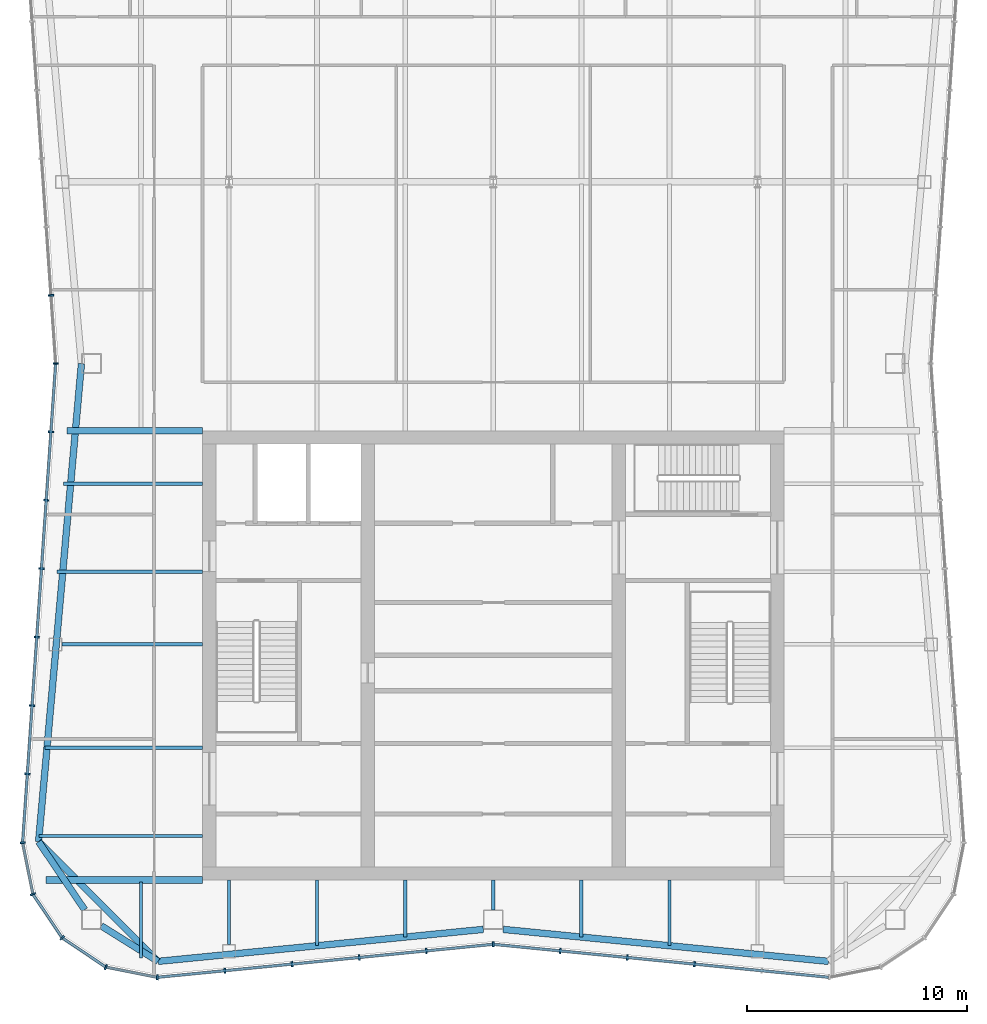
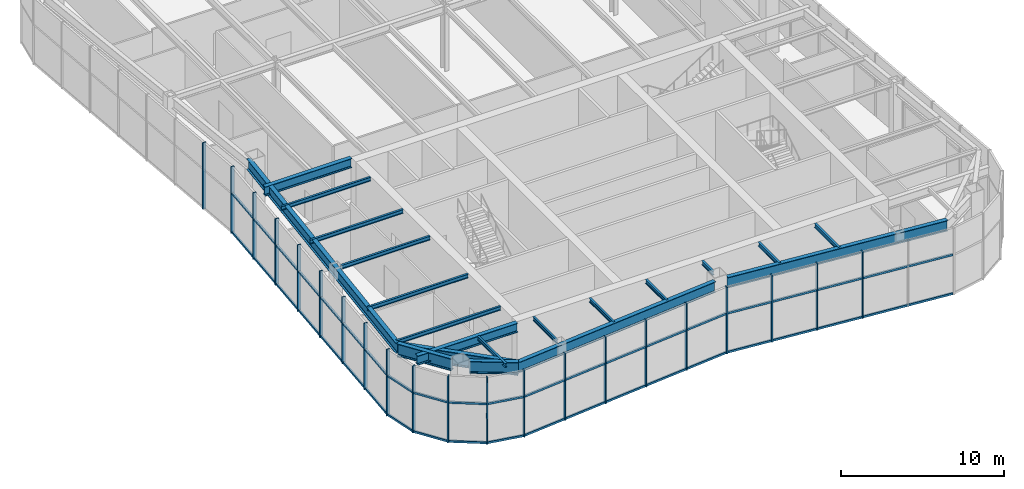
# One storey, part 3 of 13: 35 members, 20 beams, 3 elements without a shape of their own.
"""IFC4 building model written with IfcOpenShell, lengths in metres."""

from ifc_helpers import new_model, si_unit, direction, frame, origin, origin_2d, place, context, subcontext, project, spatial, rectangle, i_section, extrude, material, material_profile, profile_set, type_object, element, aggregate, save


model = new_model("IFC4")

# Units and contexts
model_context = context("Model", 3, precision=1e-05, world=origin(), true_north=direction((0.0, 1.0)))
body_context = subcontext(model_context, "Body", "Model", "MODEL_VIEW")
ifc_project = project(units=[si_unit("LENGTHUNIT", "METRE"), si_unit("AREAUNIT", "SQUARE_METRE"), si_unit("VOLUMEUNIT", "CUBIC_METRE"), si_unit("PLANEANGLEUNIT", "RADIAN"), si_unit("MASSUNIT", "GRAM", prefix="KILO")], contexts=[model_context])

# Site, building, storey
site_placement = place(None, origin())
site = spatial("IfcSite", under=ifc_project, at=site_placement, CompositionType="ELEMENT")
building_placement = place(site_placement, origin())
building = spatial("IfcBuilding", under=site, at=building_placement, Name="Verdant Reach Tower", CompositionType="ELEMENT")
storey_placement = place(building_placement, frame((0.0, 0.0, 349.5)))
storey = spatial("IfcBuildingStorey", under=building, at=storey_placement, Name="L79 Plant", CompositionType="ELEMENT", Elevation=349.5)

# Curtain wall, members
ifc_material_1 = material(Name="Anodised aluminium", Category="aluminium")
curtain_wall_type = type_object("IfcCurtainWallType", Name="EN-CW SYSTEM PLANT", PredefinedType="NOTDEFINED", material=ifc_material_1)
curtain_wall_1_placement = place(storey_placement, origin())
curtain_wall_1 = element("IfcCurtainWall", 1, at=curtain_wall_1_placement, inside=storey, type_object=curtain_wall_type, Name="Curtain wall west, L79", PredefinedType="NOTDEFINED")
ifc_material_profile_1 = material_profile(ifc_material_1, rectangle(XDim=0.238037109375, YDim=0.080078125, at=origin_2d()), Name="Mullion 80x240")
ifc_profile_set_1 = profile_set([ifc_material_profile_1], Name="Anodised aluminium")
member_type_1 = type_object("IfcMemberType", Name="EN-MULLION PLANT", PredefinedType="MULLION", material=ifc_profile_set_1)
member_1_placement = place(storey_placement, frame((-20.0830078125, 44.348876953125, -0.35009765625), z_axis=(0.0, 0.0, 1.0), x_axis=(-0.997630328423, -0.068802091615, 0.0)))
member_1 = element("IfcMember", 2, at=member_1_placement, type_object=member_type_1, Name="Mullion west face part 1 7, L79", PredefinedType="MULLION", context=body_context, shape_type="SweptSolid", body=[
    extrude(rectangle(XDim=0.238037109375, YDim=0.080078125, at=origin_2d()), origin(), (0.0, 0.0, 1.0), 5.0),
])
member_2_placement = place(storey_placement, frame((-19.868896484375, 41.25, -0.35009765625), z_axis=(0.0, 0.0, 1.0), x_axis=(-1.0, 0.0, 0.0)))
member_2 = element("IfcMember", 3, at=member_2_placement, type_object=member_type_1, Name="Mullion west face part 2 1, L79", PredefinedType="MULLION", context=body_context, shape_type="SweptSolid", body=[
    extrude(rectangle(XDim=0.238037109375, YDim=0.080078125, at=origin_2d()), origin(), (0.0, 0.0, 1.0), 5.0),
])
member_3_placement = place(storey_placement, frame((-20.0830078125, 38.151123046875, -0.35009765625), z_axis=(0.0, 0.0, 1.0), x_axis=(-0.997630328423, 0.068802091615, 0.0)))
member_3 = element("IfcMember", 4, at=member_3_placement, type_object=member_type_1, Name="Mullion west face part 2 2, L79", PredefinedType="MULLION", context=body_context, shape_type="SweptSolid", body=[
    extrude(rectangle(XDim=0.238037109375, YDim=0.080078125, at=origin_2d()), origin(), (0.0, 0.0, 1.0), 5.0),
])
member_4_placement = place(storey_placement, frame((-20.29736328125, 35.0439453125, -0.35009765625), z_axis=(0.0, 0.0, 1.0), x_axis=(-0.997630328423, 0.068802091615, 0.0)))
member_4 = element("IfcMember", 5, at=member_4_placement, type_object=member_type_1, Name="Mullion west face part 2 3, L79", PredefinedType="MULLION", context=body_context, shape_type="SweptSolid", body=[
    extrude(rectangle(XDim=0.238037109375, YDim=0.080078125, at=origin_2d()), origin(), (0.0, 0.0, 1.0), 5.0),
])
member_5_placement = place(storey_placement, frame((-20.511474609375, 31.936767578125, -0.35009765625), z_axis=(0.0, 0.0, 1.0), x_axis=(-0.997630328423, 0.068802091615, 0.0)))
member_5 = element("IfcMember", 6, at=member_5_placement, type_object=member_type_1, Name="Mullion west face part 2 4, L79", PredefinedType="MULLION", context=body_context, shape_type="SweptSolid", body=[
    extrude(rectangle(XDim=0.238037109375, YDim=0.080078125, at=origin_2d()), origin(), (0.0, 0.0, 1.0), 5.0),
])
member_6_placement = place(storey_placement, frame((-20.725830078125, 28.82958984375, -0.35009765625), z_axis=(0.0, 0.0, 1.0), x_axis=(-0.997630328423, 0.068802091615, 0.0)))
member_6 = element("IfcMember", 7, at=member_6_placement, type_object=member_type_1, Name="Mullion west face part 2 5, L79", PredefinedType="MULLION", context=body_context, shape_type="SweptSolid", body=[
    extrude(rectangle(XDim=0.238037109375, YDim=0.080078125, at=origin_2d()), origin(), (0.0, 0.0, 1.0), 5.0),
])
member_7_placement = place(storey_placement, frame((-20.940185546875, 25.722412109375, -0.35009765625), z_axis=(0.0, 0.0, 1.0), x_axis=(-0.997630328423, 0.068802091615, 0.0)))
member_7 = element("IfcMember", 8, at=member_7_placement, type_object=member_type_1, Name="Mullion west face part 2 6, L79", PredefinedType="MULLION", context=body_context, shape_type="SweptSolid", body=[
    extrude(rectangle(XDim=0.238037109375, YDim=0.080078125, at=origin_2d()), origin(), (0.0, 0.0, 1.0), 5.0),
])
member_8_placement = place(storey_placement, frame((-21.154541015625, 22.615234375, -0.35009765625), z_axis=(0.0, 0.0, 1.0), x_axis=(-0.997630328423, 0.068802091615, 0.0)))
member_8 = element("IfcMember", 9, at=member_8_placement, type_object=member_type_1, Name="Mullion west face part 2 7, L79", PredefinedType="MULLION", context=body_context, shape_type="SweptSolid", body=[
    extrude(rectangle(XDim=0.238037109375, YDim=0.080078125, at=origin_2d()), origin(), (0.0, 0.0, 1.0), 5.0),
])

curtain_wall_2_placement = place(storey_placement, origin())
curtain_wall_2 = element("IfcCurtainWall", 10, at=curtain_wall_2_placement, inside=storey, type_object=curtain_wall_type, Name="Curtain wall south-west corner, L79", PredefinedType="NOTDEFINED")
member_9_placement = place(storey_placement, frame((-21.36865234375, 19.492431640625, -0.35009765625), z_axis=(0.0, 0.0, 1.0), x_axis=(-0.997969180898, -0.063698618332, 0.0)))
member_9 = element("IfcMember", 11, at=member_9_placement, type_object=member_type_1, Name="Mullion south-west corner 1, L79", PredefinedType="MULLION", context=body_context, shape_type="SweptSolid", body=[
    extrude(rectangle(XDim=0.238037109375, YDim=0.080078125, at=origin_2d()), origin(), (0.0, 0.0, 1.0), 5.0),
])
member_10_placement = place(storey_placement, frame((-20.9033203125, 17.158447265625, -0.35009765625), z_axis=(0.0, 0.0, 1.0), x_axis=(-0.923875215753, -0.382693853776, 0.0)))
member_10 = element("IfcMember", 12, at=member_10_placement, type_object=member_type_1, Name="Mullion south-west corner 2, L79", PredefinedType="MULLION", context=body_context, shape_type="SweptSolid", body=[
    extrude(rectangle(XDim=0.238037109375, YDim=0.080078125, at=origin_2d()), origin(), (0.0, 0.0, 1.0), 5.0),
])
member_11_placement = place(storey_placement, frame((-19.57666015625, 15.17333984375, -0.35009765625), z_axis=(0.0, 0.0, 1.0), x_axis=(-0.707106781187, -0.707106781187, 0.0)))
member_11 = element("IfcMember", 13, at=member_11_placement, type_object=member_type_1, Name="Mullion south-west corner 3, L79", PredefinedType="MULLION", context=body_context, shape_type="SweptSolid", body=[
    extrude(rectangle(XDim=0.238037109375, YDim=0.080078125, at=origin_2d()), origin(), (0.0, 0.0, 1.0), 5.0),
])
member_12_placement = place(storey_placement, frame((-17.591552734375, 13.8466796875, -0.35009765625), z_axis=(0.0, 0.0, 1.0), x_axis=(-0.382693853776, -0.923875215753, 0.0)))
member_12 = element("IfcMember", 14, at=member_12_placement, type_object=member_type_1, Name="Mullion south-west corner 4, L79", PredefinedType="MULLION", context=body_context, shape_type="SweptSolid", body=[
    extrude(rectangle(XDim=0.238037109375, YDim=0.080078125, at=origin_2d()), origin(), (0.0, 0.0, 1.0), 5.0),
])

curtain_wall_3_placement = place(storey_placement, origin())
curtain_wall_3 = element("IfcCurtainWall", 15, at=curtain_wall_3_placement, inside=storey, type_object=curtain_wall_type, Name="Curtain wall south, L79", PredefinedType="NOTDEFINED")
member_13_placement = place(storey_placement, frame((-15.255859375, 13.381103515625, -0.35009765625), z_axis=(0.0, 0.0, 1.0), x_axis=(-0.049127596288, -0.998792510626, 0.0)))
member_13 = element("IfcMember", 16, at=member_13_placement, type_object=member_type_1, Name="Mullion south face part 1 1, L79", PredefinedType="MULLION", context=body_context, shape_type="SweptSolid", body=[
    extrude(rectangle(XDim=0.238037109375, YDim=0.080078125, at=origin_2d()), origin(), (0.0, 0.0, 1.0), 5.0),
])
member_14_placement = place(storey_placement, frame((-12.188232421875, 13.681640625, -0.35009765625), z_axis=(0.0, 0.0, 1.0), x_axis=(0.09788826992, -0.995197410875, 0.0)))
member_14 = element("IfcMember", 17, at=member_14_placement, type_object=member_type_1, Name="Mullion south face part 1 2, L79", PredefinedType="MULLION", context=body_context, shape_type="SweptSolid", body=[
    extrude(rectangle(XDim=0.238037109375, YDim=0.080078125, at=origin_2d()), origin(), (0.0, 0.0, 1.0), 5.0),
])
member_15_placement = place(storey_placement, frame((-9.138427734375, 13.981689453125, -0.35009765625), z_axis=(0.0, 0.0, 1.0), x_axis=(0.09788826992, -0.995197410875, 0.0)))
member_15 = element("IfcMember", 18, at=member_15_placement, type_object=member_type_1, Name="Mullion south face part 1 3, L79", PredefinedType="MULLION", context=body_context, shape_type="SweptSolid", body=[
    extrude(rectangle(XDim=0.238037109375, YDim=0.080078125, at=origin_2d()), origin(), (0.0, 0.0, 1.0), 5.0),
])
member_16_placement = place(storey_placement, frame((-6.08837890625, 14.281494140625, -0.35009765625), z_axis=(0.0, 0.0, 1.0), x_axis=(0.09788826992, -0.995197410875, 0.0)))
member_16 = element("IfcMember", 19, at=member_16_placement, type_object=member_type_1, Name="Mullion south face part 1 4, L79", PredefinedType="MULLION", context=body_context, shape_type="SweptSolid", body=[
    extrude(rectangle(XDim=0.238037109375, YDim=0.080078125, at=origin_2d()), origin(), (0.0, 0.0, 1.0), 5.0),
])
member_17_placement = place(storey_placement, frame((-3.038330078125, 14.58154296875, -0.35009765625), z_axis=(0.0, 0.0, 1.0), x_axis=(0.09788826992, -0.995197410875, 0.0)))
member_17 = element("IfcMember", 20, at=member_17_placement, type_object=member_type_1, Name="Mullion south face part 1 5, L79", PredefinedType="MULLION", context=body_context, shape_type="SweptSolid", body=[
    extrude(rectangle(XDim=0.238037109375, YDim=0.080078125, at=origin_2d()), origin(), (0.0, 0.0, 1.0), 5.0),
])
member_18_placement = place(storey_placement, frame((0.0, 14.881103515625, -0.35009765625), z_axis=(0.0, 0.0, 1.0), x_axis=(0.0, -1.0, 0.0)))
member_18 = element("IfcMember", 21, at=member_18_placement, type_object=member_type_1, Name="Mullion south face part 2 1, L79", PredefinedType="MULLION", context=body_context, shape_type="SweptSolid", body=[
    extrude(rectangle(XDim=0.238037109375, YDim=0.080078125, at=origin_2d()), origin(), (0.0, 0.0, 1.0), 5.0),
])
member_19_placement = place(storey_placement, frame((3.038330078125, 14.58154296875, -0.35009765625), z_axis=(0.0, 0.0, 1.0), x_axis=(-0.09788826992, -0.995197410875, 0.0)))
member_19 = element("IfcMember", 22, at=member_19_placement, type_object=member_type_1, Name="Mullion south face part 2 2, L79", PredefinedType="MULLION", context=body_context, shape_type="SweptSolid", body=[
    extrude(rectangle(XDim=0.238037109375, YDim=0.080078125, at=origin_2d()), origin(), (0.0, 0.0, 1.0), 5.0),
])
member_20_placement = place(storey_placement, frame((6.08837890625, 14.281494140625, -0.35009765625), z_axis=(0.0, 0.0, 1.0), x_axis=(-0.09788826992, -0.995197410875, 0.0)))
member_20 = element("IfcMember", 23, at=member_20_placement, type_object=member_type_1, Name="Mullion south face part 2 3, L79", PredefinedType="MULLION", context=body_context, shape_type="SweptSolid", body=[
    extrude(rectangle(XDim=0.238037109375, YDim=0.080078125, at=origin_2d()), origin(), (0.0, 0.0, 1.0), 5.0),
])
member_21_placement = place(storey_placement, frame((9.138427734375, 13.981689453125, -0.35009765625), z_axis=(0.0, 0.0, 1.0), x_axis=(-0.09788826992, -0.995197410875, 0.0)))
member_21 = element("IfcMember", 24, at=member_21_placement, type_object=member_type_1, Name="Mullion south face part 2 4, L79", PredefinedType="MULLION", context=body_context, shape_type="SweptSolid", body=[
    extrude(rectangle(XDim=0.238037109375, YDim=0.080078125, at=origin_2d()), origin(), (0.0, 0.0, 1.0), 5.0),
])

# Member
ifc_material_profile_2 = material_profile(ifc_material_1, rectangle(XDim=0.1201171875, YDim=0.14990234375, at=origin_2d()), Name="Transom 150x120")
ifc_profile_set_2 = profile_set([ifc_material_profile_2], Name="Anodised aluminium")
member_type_2 = type_object("IfcMemberType", Name="EN-TRANSOM PLANT", PredefinedType="USERDEFINED", material=ifc_profile_set_2)
member_22_placement = place(storey_placement, frame((-19.871826171875, 41.210205078125, -0.27490234375), z_axis=(-0.068761218296, -0.997633146431, 0.0), x_axis=(0.997633146431, -0.068761218296, 0.0)))
member_22 = element("IfcMember", 25, at=member_22_placement, type_object=member_type_2, Name="Transom west face part 2 1.1, L79", ObjectType="TRANSOM", PredefinedType="USERDEFINED", context=body_context, shape_type="SweptSolid", body=[
    extrude(rectangle(XDim=0.1201171875, YDim=0.14990234375, at=origin_2d()), origin(), (0.0, 0.0, 1.0), 21.7294921875),
])

member_23_placement = place(storey_placement, frame((-19.871826171875, 41.210205078125, 2.64990234375), z_axis=(-0.068761218296, -0.997633146431, 0.0), x_axis=(0.997633146431, -0.068761218296, 0.0)))
member_23 = element("IfcMember", 26, at=member_23_placement, type_object=member_type_2, Name="Transom west face part 2 1.2, L79", ObjectType="TRANSOM", PredefinedType="USERDEFINED", context=body_context, shape_type="SweptSolid", body=[
    extrude(rectangle(XDim=0.1201171875, YDim=0.14990234375, at=origin_2d()), origin(), (0.0, 0.0, 1.0), 21.7294921875),
])

aggregate(curtain_wall_1, [member_1, member_2, member_3, member_4, member_5, member_6, member_7, member_8, member_22, member_23])

member_24_placement = place(storey_placement, frame((-21.36083984375, 19.453125, -0.27490234375), z_axis=(0.195524121666, -0.980698892549, 0.0), x_axis=(0.980698892549, 0.195524121666, 0.0)))
member_24 = element("IfcMember", 27, at=member_24_placement, type_object=member_type_2, Name="Transom south-west corner 1.1, L79", ObjectType="TRANSOM", PredefinedType="USERDEFINED", context=body_context, shape_type="SweptSolid", body=[
    extrude(rectangle(XDim=0.1201171875, YDim=0.14990234375, at=origin_2d()), origin(), (0.0, 0.0, 1.0), 2.300048828125),
])

member_25_placement = place(storey_placement, frame((-20.881103515625, 17.125, -0.27490234375), z_axis=(0.5556764556, -0.831398626828, 0.0), x_axis=(0.831398626828, 0.5556764556, 0.0)))
member_25 = element("IfcMember", 28, at=member_25_placement, type_object=member_type_2, Name="Transom south-west corner 2.1, L79", ObjectType="TRANSOM", PredefinedType="USERDEFINED", context=body_context, shape_type="SweptSolid", body=[
    extrude(rectangle(XDim=0.1201171875, YDim=0.14990234375, at=origin_2d()), origin(), (0.0, 0.0, 1.0), 2.3076171875),
])

member_26_placement = place(storey_placement, frame((-19.54345703125, 15.151123046875, -0.27490234375), z_axis=(0.831398626828, -0.5556764556, 0.0), x_axis=(0.5556764556, 0.831398626828, 0.0)))
member_26 = element("IfcMember", 29, at=member_26_placement, type_object=member_type_2, Name="Transom south-west corner 3.1, L79", ObjectType="TRANSOM", PredefinedType="USERDEFINED", context=body_context, shape_type="SweptSolid", body=[
    extrude(rectangle(XDim=0.1201171875, YDim=0.14990234375, at=origin_2d()), origin(), (0.0, 0.0, 1.0), 2.3076171875),
])

member_27_placement = place(storey_placement, frame((-17.552490234375, 13.8388671875, -0.27490234375), z_axis=(0.980706937788, -0.195483764476, 0.0), x_axis=(0.195483764476, 0.980706937788, 0.0)))
member_27 = element("IfcMember", 30, at=member_27_placement, type_object=member_type_2, Name="Transom south-west corner 4.1, L79", ObjectType="TRANSOM", PredefinedType="USERDEFINED", context=body_context, shape_type="SweptSolid", body=[
    extrude(rectangle(XDim=0.1201171875, YDim=0.14990234375, at=origin_2d()), origin(), (0.0, 0.0, 1.0), 2.3017578125),
])

member_28_placement = place(storey_placement, frame((-21.36083984375, 19.453125, 2.64990234375), z_axis=(0.195524121666, -0.980698892549, 0.0), x_axis=(0.980698892549, 0.195524121666, 0.0)))
member_28 = element("IfcMember", 31, at=member_28_placement, type_object=member_type_2, Name="Transom south-west corner 1.2, L79", ObjectType="TRANSOM", PredefinedType="USERDEFINED", context=body_context, shape_type="SweptSolid", body=[
    extrude(rectangle(XDim=0.1201171875, YDim=0.14990234375, at=origin_2d()), origin(), (0.0, 0.0, 1.0), 2.300048828125),
])

member_29_placement = place(storey_placement, frame((-20.881103515625, 17.125, 2.64990234375), z_axis=(0.5556764556, -0.831398626828, 0.0), x_axis=(0.831398626828, 0.5556764556, 0.0)))
member_29 = element("IfcMember", 32, at=member_29_placement, type_object=member_type_2, Name="Transom south-west corner 2.2, L79", ObjectType="TRANSOM", PredefinedType="USERDEFINED", context=body_context, shape_type="SweptSolid", body=[
    extrude(rectangle(XDim=0.1201171875, YDim=0.14990234375, at=origin_2d()), origin(), (0.0, 0.0, 1.0), 2.3076171875),
])

member_30_placement = place(storey_placement, frame((-19.54345703125, 15.151123046875, 2.64990234375), z_axis=(0.831398626828, -0.5556764556, 0.0), x_axis=(0.5556764556, 0.831398626828, 0.0)))
member_30 = element("IfcMember", 33, at=member_30_placement, type_object=member_type_2, Name="Transom south-west corner 3.2, L79", ObjectType="TRANSOM", PredefinedType="USERDEFINED", context=body_context, shape_type="SweptSolid", body=[
    extrude(rectangle(XDim=0.1201171875, YDim=0.14990234375, at=origin_2d()), origin(), (0.0, 0.0, 1.0), 2.3076171875),
])

member_31_placement = place(storey_placement, frame((-17.552490234375, 13.8388671875, 2.64990234375), z_axis=(0.980706937788, -0.195483764476, 0.0), x_axis=(0.195483764476, 0.980706937788, 0.0)))
member_31 = element("IfcMember", 34, at=member_31_placement, type_object=member_type_2, Name="Transom south-west corner 4.2, L79", ObjectType="TRANSOM", PredefinedType="USERDEFINED", context=body_context, shape_type="SweptSolid", body=[
    extrude(rectangle(XDim=0.1201171875, YDim=0.14990234375, at=origin_2d()), origin(), (0.0, 0.0, 1.0), 2.3017578125),
])

aggregate(curtain_wall_2, [member_9, member_10, member_11, member_12, member_24, member_25, member_26, member_27, member_28, member_29, member_30, member_31])

member_32_placement = place(storey_placement, frame((-15.216064453125, 13.385009765625, -0.27490234375), z_axis=(0.995200989722, 0.097851878144, 0.0), x_axis=(-0.097851878144, 0.995200989722, 0.0)))
member_32 = element("IfcMember", 35, at=member_32_placement, type_object=member_type_2, Name="Transom south face part 1 1.1, L79", ObjectType="TRANSOM", PredefinedType="USERDEFINED", context=body_context, shape_type="SweptSolid", body=[
    extrude(rectangle(XDim=0.1201171875, YDim=0.14990234375, at=origin_2d()), origin(), (0.0, 0.0, 1.0), 15.24951171875),
])

member_33_placement = place(storey_placement, frame((-15.216064453125, 13.385009765625, 2.64990234375), z_axis=(0.995200989722, 0.097851878144, 0.0), x_axis=(-0.097851878144, 0.995200989722, 0.0)))
member_33 = element("IfcMember", 36, at=member_33_placement, type_object=member_type_2, Name="Transom south face part 1 1.2, L79", ObjectType="TRANSOM", PredefinedType="USERDEFINED", context=body_context, shape_type="SweptSolid", body=[
    extrude(rectangle(XDim=0.1201171875, YDim=0.14990234375, at=origin_2d()), origin(), (0.0, 0.0, 1.0), 15.24951171875),
])

member_34_placement = place(storey_placement, frame((0.039794921875, 14.877197265625, -0.27490234375), z_axis=(0.995200989722, -0.097851878144, 0.0), x_axis=(0.097851878144, 0.995200989722, 0.0)))
member_34 = element("IfcMember", 37, at=member_34_placement, type_object=member_type_2, Name="Transom south face part 2 1.1, L79", ObjectType="TRANSOM", PredefinedType="USERDEFINED", context=body_context, shape_type="SweptSolid", body=[
    extrude(rectangle(XDim=0.1201171875, YDim=0.14990234375, at=origin_2d()), origin(), (0.0, 0.0, 1.0), 15.24951171875),
])

member_35_placement = place(storey_placement, frame((0.039794921875, 14.877197265625, 2.64990234375), z_axis=(0.995200989722, -0.097851878144, 0.0), x_axis=(0.097851878144, 0.995200989722, 0.0)))
member_35 = element("IfcMember", 38, at=member_35_placement, type_object=member_type_2, Name="Transom south face part 2 1.2, L79", ObjectType="TRANSOM", PredefinedType="USERDEFINED", context=body_context, shape_type="SweptSolid", body=[
    extrude(rectangle(XDim=0.1201171875, YDim=0.14990234375, at=origin_2d()), origin(), (0.0, 0.0, 1.0), 15.24951171875),
])

aggregate(curtain_wall_3, [member_13, member_14, member_15, member_16, member_17, member_32, member_33, member_18, member_19, member_20, member_21, member_34, member_35])

# Beams
ifc_material_2 = material(Name="Steel S355", Category="steel")
ifc_material_profile_3 = material_profile(ifc_material_2, i_section(OverallWidth=0.300048828125, OverallDepth=0.699951171875, WebThickness=0.01708984375, FlangeThickness=0.031982421875, FilletRadius=0.027099609375, at=origin_2d()), Name="HEB 700")
ifc_profile_set_3 = profile_set([ifc_material_profile_3], Name="Steel S355")
beam_type_1 = type_object("IfcBeamType", Name="ST-BEAM-HEB700", PredefinedType="BEAM", material=ifc_profile_set_3)
beam_1_placement = place(storey_placement, frame((-13.199951171875, 38.199951171875, 4.5), z_axis=(-1.0, 0.0, 0.0), x_axis=(0.0, -1.0, 0.0)))
element("IfcBeam", 39, at=beam_1_placement, inside=storey, type_object=beam_type_1, Name="Trimmer beam, L79 Plant", PredefinedType="BEAM", context=body_context, shape_type="SweptSolid", body=[
    extrude(i_section(OverallWidth=0.300048828125, OverallDepth=0.699951171875, WebThickness=0.01708984375, FlangeThickness=0.031982421875, FilletRadius=0.027099609375, at=origin_2d()), origin(), (0.0, 0.0, 1.0), 6.158935546875),
])
beam_2_placement = place(storey_placement, frame((-13.199951171875, 17.800048828125, 4.5), z_axis=(-1.0, 0.0, 0.0), x_axis=(0.0, -1.0, 0.0)))
element("IfcBeam", 40, at=beam_2_placement, inside=storey, type_object=beam_type_1, Name="Trimmer beam, L79 Plant", PredefinedType="BEAM", context=body_context, shape_type="SweptSolid", body=[
    extrude(i_section(OverallWidth=0.300048828125, OverallDepth=0.699951171875, WebThickness=0.01708984375, FlangeThickness=0.031982421875, FilletRadius=0.027099609375, at=origin_2d()), origin(), (0.0, 0.0, 1.0), 7.10009765625),
])
ifc_material_profile_4 = material_profile(ifc_material_2, i_section(OverallWidth=0.302001953125, OverallDepth=0.909912109375, WebThickness=0.02099609375, FlangeThickness=0.0400390625, FilletRadius=0.030029296875, at=origin_2d()), Name="HEM 900")
ifc_profile_set_4 = profile_set([ifc_material_profile_4], Name="Steel S355")
beam_type_2 = type_object("IfcBeamType", Name="ST-BEAM-HEM900", PredefinedType="BEAM", material=ifc_profile_set_4)
beam_3_placement = place(storey_placement, frame((-17.800048828125, 15.71875, 4.39501953125), z_axis=(0.847903624467, -0.530150397166, 0.0), x_axis=(0.530150397166, 0.847903624467, 0.0)))
element("IfcBeam", 41, at=beam_3_placement, inside=storey, type_object=beam_type_2, Name="Column stub beam, L79 Plant", PredefinedType="BEAM", context=body_context, shape_type="SweptSolid", body=[
    extrude(i_section(OverallWidth=0.302001953125, OverallDepth=0.909912109375, WebThickness=0.02099609375, FlangeThickness=0.0400390625, FilletRadius=0.030029296875, at=origin_2d()), origin(), (0.0, 0.0, 1.0), 3.042724609375),
])
beam_4_placement = place(storey_placement, frame((-18.5546875, 16.449951171875, 4.39501953125), z_axis=(-0.560667226688, 0.828041219335, 0.0), x_axis=(-0.828041219335, -0.560667226688, 0.0)))
element("IfcBeam", 42, at=beam_4_placement, inside=storey, type_object=beam_type_2, Name="Column stub beam, L79 Plant", PredefinedType="BEAM", context=body_context, shape_type="SweptSolid", body=[
    extrude(i_section(OverallWidth=0.302001953125, OverallDepth=0.909912109375, WebThickness=0.02099609375, FlangeThickness=0.0400390625, FilletRadius=0.030029296875, at=origin_2d()), origin(), (0.0, 0.0, 1.0), 3.72998046875),
])
ifc_material_profile_5 = material_profile(ifc_material_2, i_section(OverallWidth=0.14990234375, OverallDepth=0.300048828125, WebThickness=0.007080078125, FlangeThickness=0.0107421875, FilletRadius=0.014892578125, at=origin_2d()), Name="IPE 300")
ifc_profile_set_5 = profile_set([ifc_material_profile_5], Name="Steel S355")
beam_type_3 = type_object("IfcBeamType", Name="ST-JOIST-IPE300", PredefinedType="JOIST", material=ifc_profile_set_5)
beam_5_placement = place(storey_placement, frame((-16.0, 17.699951171875, 4.699951171875), z_axis=(0.0, -1.0, 0.0), x_axis=(1.0, 0.0, 0.0)))
element("IfcBeam", 43, at=beam_5_placement, inside=storey, type_object=beam_type_3, Name="Floor joist, L79 Plant", PredefinedType="JOIST", context=body_context, shape_type="SweptSolid", body=[
    extrude(i_section(OverallWidth=0.14990234375, OverallDepth=0.300048828125, WebThickness=0.007080078125, FlangeThickness=0.0107421875, FilletRadius=0.014892578125, at=origin_2d()), origin(), (0.0, 0.0, 1.0), 3.43896484375),
])
beam_6_placement = place(storey_placement, frame((-12.0, 17.800048828125, 4.699951171875), z_axis=(0.0, -1.0, 0.0), x_axis=(1.0, 0.0, 0.0)))
element("IfcBeam", 44, at=beam_6_placement, inside=storey, type_object=beam_type_3, Name="Floor joist, L79 Plant", PredefinedType="JOIST", context=body_context, shape_type="SweptSolid", body=[
    extrude(i_section(OverallWidth=0.14990234375, OverallDepth=0.300048828125, WebThickness=0.007080078125, FlangeThickness=0.0107421875, FilletRadius=0.014892578125, at=origin_2d()), origin(), (0.0, 0.0, 1.0), 2.930419921875),
])
beam_7_placement = place(storey_placement, frame((-8.0, 17.800048828125, 4.699951171875), z_axis=(0.0, -1.0, 0.0), x_axis=(1.0, 0.0, 0.0)))
element("IfcBeam", 45, at=beam_7_placement, inside=storey, type_object=beam_type_3, Name="Floor joist, L79 Plant", PredefinedType="JOIST", context=body_context, shape_type="SweptSolid", body=[
    extrude(i_section(OverallWidth=0.14990234375, OverallDepth=0.300048828125, WebThickness=0.007080078125, FlangeThickness=0.0107421875, FilletRadius=0.014892578125, at=origin_2d()), origin(), (0.0, 0.0, 1.0), 2.984130859375),
])
beam_8_placement = place(storey_placement, frame((-4.0, 17.800048828125, 4.699951171875), z_axis=(0.0, -1.0, 0.0), x_axis=(1.0, 0.0, 0.0)))
element("IfcBeam", 46, at=beam_8_placement, inside=storey, type_object=beam_type_3, Name="Floor joist, L79 Plant", PredefinedType="JOIST", context=body_context, shape_type="SweptSolid", body=[
    extrude(i_section(OverallWidth=0.14990234375, OverallDepth=0.300048828125, WebThickness=0.007080078125, FlangeThickness=0.0107421875, FilletRadius=0.014892578125, at=origin_2d()), origin(), (0.0, 0.0, 1.0), 2.590576171875),
])
beam_9_placement = place(storey_placement, frame((0.0, 17.800048828125, 4.699951171875), z_axis=(0.0, -1.0, 0.0), x_axis=(1.0, 0.0, 0.0)))
element("IfcBeam", 47, at=beam_9_placement, inside=storey, type_object=beam_type_3, Name="Floor joist, L79 Plant", PredefinedType="JOIST", context=body_context, shape_type="SweptSolid", body=[
    extrude(i_section(OverallWidth=0.14990234375, OverallDepth=0.300048828125, WebThickness=0.007080078125, FlangeThickness=0.0107421875, FilletRadius=0.014892578125, at=origin_2d()), origin(), (0.0, 0.0, 1.0), 1.35009765625),
])
beam_10_placement = place(storey_placement, frame((4.0, 17.800048828125, 4.699951171875), z_axis=(0.0, -1.0, 0.0), x_axis=(1.0, 0.0, 0.0)))
element("IfcBeam", 48, at=beam_10_placement, inside=storey, type_object=beam_type_3, Name="Floor joist, L79 Plant", PredefinedType="JOIST", context=body_context, shape_type="SweptSolid", body=[
    extrude(i_section(OverallWidth=0.14990234375, OverallDepth=0.300048828125, WebThickness=0.007080078125, FlangeThickness=0.0107421875, FilletRadius=0.014892578125, at=origin_2d()), origin(), (0.0, 0.0, 1.0), 2.590576171875),
])
beam_11_placement = place(storey_placement, frame((8.0, 17.800048828125, 4.699951171875), z_axis=(0.0, -1.0, 0.0), x_axis=(1.0, 0.0, 0.0)))
element("IfcBeam", 49, at=beam_11_placement, inside=storey, type_object=beam_type_3, Name="Floor joist, L79 Plant", PredefinedType="JOIST", context=body_context, shape_type="SweptSolid", body=[
    extrude(i_section(OverallWidth=0.14990234375, OverallDepth=0.300048828125, WebThickness=0.007080078125, FlangeThickness=0.0107421875, FilletRadius=0.014892578125, at=origin_2d()), origin(), (0.0, 0.0, 1.0), 2.984130859375),
])
beam_12_placement = place(storey_placement, frame((-13.199951171875, 19.800048828125, 4.699951171875), z_axis=(-1.0, 0.0, 0.0), x_axis=(0.0, -1.0, 0.0)))
element("IfcBeam", 50, at=beam_12_placement, inside=storey, type_object=beam_type_3, Name="Floor joist, L79 Plant", PredefinedType="JOIST", context=body_context, shape_type="SweptSolid", body=[
    extrude(i_section(OverallWidth=0.14990234375, OverallDepth=0.300048828125, WebThickness=0.007080078125, FlangeThickness=0.0107421875, FilletRadius=0.014892578125, at=origin_2d()), origin(), (0.0, 0.0, 1.0), 7.427978515625),
])
beam_13_placement = place(storey_placement, frame((-13.199951171875, 23.800048828125, 4.699951171875), z_axis=(-1.0, 0.0, 0.0), x_axis=(0.0, -1.0, 0.0)))
element("IfcBeam", 51, at=beam_13_placement, inside=storey, type_object=beam_type_3, Name="Floor joist, L79 Plant", PredefinedType="JOIST", context=body_context, shape_type="SweptSolid", body=[
    extrude(i_section(OverallWidth=0.14990234375, OverallDepth=0.300048828125, WebThickness=0.007080078125, FlangeThickness=0.0107421875, FilletRadius=0.014892578125, at=origin_2d()), origin(), (0.0, 0.0, 1.0), 7.152099609375),
])
beam_14_placement = place(storey_placement, frame((-13.199951171875, 28.5, 4.699951171875), z_axis=(-1.0, 0.0, 0.0), x_axis=(0.0, -1.0, 0.0)))
element("IfcBeam", 52, at=beam_14_placement, inside=storey, type_object=beam_type_3, Name="Floor joist, L79 Plant", PredefinedType="JOIST", context=body_context, shape_type="SweptSolid", body=[
    extrude(i_section(OverallWidth=0.14990234375, OverallDepth=0.300048828125, WebThickness=0.007080078125, FlangeThickness=0.0107421875, FilletRadius=0.014892578125, at=origin_2d()), origin(), (0.0, 0.0, 1.0), 6.37939453125),
])
beam_15_placement = place(storey_placement, frame((-13.199951171875, 31.800048828125, 4.699951171875), z_axis=(-1.0, 0.0, 0.0), x_axis=(0.0, -1.0, 0.0)))
element("IfcBeam", 53, at=beam_15_placement, inside=storey, type_object=beam_type_3, Name="Floor joist, L79 Plant", PredefinedType="JOIST", context=body_context, shape_type="SweptSolid", body=[
    extrude(i_section(OverallWidth=0.14990234375, OverallDepth=0.300048828125, WebThickness=0.007080078125, FlangeThickness=0.0107421875, FilletRadius=0.014892578125, at=origin_2d()), origin(), (0.0, 0.0, 1.0), 6.600341796875),
])
beam_16_placement = place(storey_placement, frame((-13.199951171875, 35.800048828125, 4.699951171875), z_axis=(-1.0, 0.0, 0.0), x_axis=(0.0, -1.0, 0.0)))
element("IfcBeam", 54, at=beam_16_placement, inside=storey, type_object=beam_type_3, Name="Floor joist, L79 Plant", PredefinedType="JOIST", context=body_context, shape_type="SweptSolid", body=[
    extrude(i_section(OverallWidth=0.14990234375, OverallDepth=0.300048828125, WebThickness=0.007080078125, FlangeThickness=0.0107421875, FilletRadius=0.014892578125, at=origin_2d()), origin(), (0.0, 0.0, 1.0), 6.324462890625),
])
ifc_material_profile_6 = material_profile(ifc_material_2, i_section(OverallWidth=0.300048828125, OverallDepth=0.800048828125, WebThickness=0.017578125, FlangeThickness=0.032958984375, FilletRadius=0.030029296875, at=origin_2d()), Name="HEB 800")
ifc_profile_set_6 = profile_set([ifc_material_profile_6], Name="Steel S355")
beam_type_4 = type_object("IfcBeamType", Name="ST-SPANDREL-HEB800", PredefinedType="SPANDREL", material=ifc_profile_set_6)
for number, where, z_axis, x_axis, name in (
    (55, (15.22021484375, 14.105712890625, 4.449951171875), (-0.995196964263, 0.097892810366, 0.0), (-0.097892810366, -0.995196964263, 0.0), "Edge beam, L79 Plant"),
    (56, (-0.449951171875, 15.55859375, 4.449951171875), (-0.995196964263, -0.097892810366, 0.0), (0.097892810366, -0.995196964263, 0.0), "Edge beam, L79 Plant"),
):
    element("IfcBeam", number, at=place(storey_placement, frame(where, z_axis=z_axis, x_axis=x_axis)), inside=storey, type_object=beam_type_4, Name=name, PredefinedType="SPANDREL", context=body_context, shape_type="SweptSolid", body=[
        extrude(i_section(OverallWidth=0.300048828125, OverallDepth=0.800048828125, WebThickness=0.017578125, FlangeThickness=0.032958984375, FilletRadius=0.030029296875, at=origin_2d()), origin(), (0.0, 0.0, 1.0), 14.841552734375),
    ])
beam_17_placement = place(storey_placement, frame((-20.64599609375, 19.53857421875, 4.449951171875), z_axis=(0.089274399498, 0.996007069048, 0.0), x_axis=(-0.996007069048, 0.089274399498, 0.0)))
element("IfcBeam", 57, at=beam_17_placement, inside=storey, type_object=beam_type_4, Name="Edge beam, L79 Plant", PredefinedType="SPANDREL", context=body_context, shape_type="SweptSolid", body=[
    extrude(i_section(OverallWidth=0.300048828125, OverallDepth=0.800048828125, WebThickness=0.017578125, FlangeThickness=0.032958984375, FilletRadius=0.030029296875, at=origin_2d()), origin(), (0.0, 0.0, 1.0), 21.798583984375),
])
ifc_material_profile_7 = material_profile(ifc_material_2, i_section(OverallWidth=0.302001953125, OverallDepth=1.008056640625, WebThickness=0.02099609375, FlangeThickness=0.0400390625, FilletRadius=0.030029296875, at=origin_2d()), Name="HEM 1000")
ifc_profile_set_7 = profile_set([ifc_material_profile_7], Name="Steel S355")
beam_type_5 = type_object("IfcBeamType", Name="ST-SPANDREL-HEM1000", PredefinedType="SPANDREL", material=ifc_profile_set_7)
beam_18_placement = place(storey_placement, frame((-15.22021484375, 14.105712890625, 4.345947265625), z_axis=(-0.706645581521, 0.707567680237, 0.0), x_axis=(-0.707567680237, -0.706645581521, 0.0)))
element("IfcBeam", 58, at=beam_18_placement, inside=storey, type_object=beam_type_5, Name="Edge beam, L79 Plant", PredefinedType="SPANDREL", context=body_context, shape_type="SweptSolid", body=[
    extrude(i_section(OverallWidth=0.302001953125, OverallDepth=1.008056640625, WebThickness=0.02099609375, FlangeThickness=0.0400390625, FilletRadius=0.030029296875, at=origin_2d()), origin(), (0.0, 0.0, 1.0), 7.67822265625),
])

save(model, "model.ifc")
